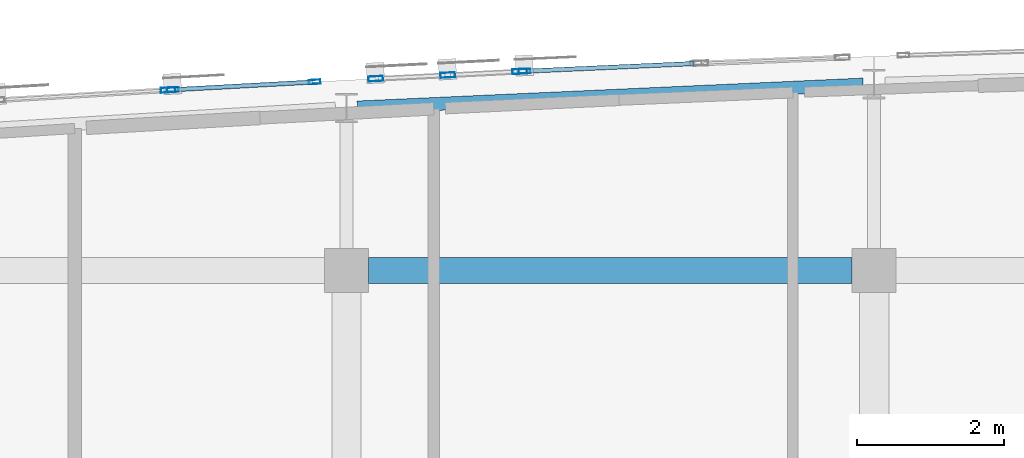
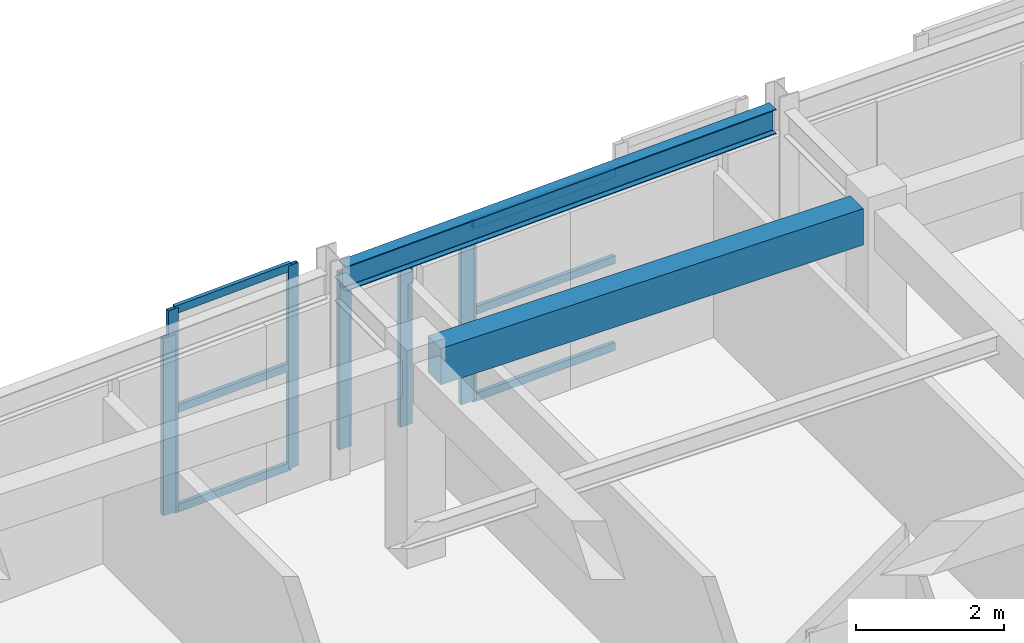
# One storey, part 17 of 73: 13 members, 2 beams, 4 elements without a shape of their own.
"""IFC4 building model written with IfcOpenShell, lengths in metres."""

from ifc_helpers import new_model, si_unit, direction, frame, origin, origin_2d, place, context, subcontext, project, spatial, rectangle, hollow_rectangle, i_section, extrude, material, layer, layer_set, material_profile, profile_set, type_object, element, aggregate, save


model = new_model("IFC4")

# Units and contexts
model_context = context("Model", 3, precision=1e-05, world=origin(), true_north=direction((0.0, 1.0)))
body_context = subcontext(model_context, "Body", "Model", "MODEL_VIEW")
ifc_project = project(units=[si_unit("LENGTHUNIT", "METRE"), si_unit("AREAUNIT", "SQUARE_METRE"), si_unit("VOLUMEUNIT", "CUBIC_METRE"), si_unit("PLANEANGLEUNIT", "RADIAN"), si_unit("MASSUNIT", "GRAM", prefix="KILO")], contexts=[model_context])

# Site, building, storey
site_placement = place(None, origin())
site = spatial("IfcSite", under=ifc_project, at=site_placement, CompositionType="ELEMENT")
building_placement = place(site_placement, origin())
building = spatial("IfcBuilding", under=site, at=building_placement, Name="Carrowvane Square Congress Hotel", CompositionType="ELEMENT")
storey_placement = place(building_placement, frame((0.0, 0.0, 19.199951171875)))
storey = spatial("IfcBuildingStorey", under=building, at=storey_placement, Name="L04", CompositionType="ELEMENT", Elevation=19.199951171875)

# Beams
ifc_material_1 = material(Name="Concrete C35/45", Category="concrete")
ifc_material_profile_1 = material_profile(ifc_material_1, rectangle(XDim=0.35009765625, YDim=0.60009765625, at=origin_2d()), Name="RC 350x600")
ifc_profile_set_1 = profile_set([ifc_material_profile_1], Name="Concrete C35/45")
beam_type_1 = type_object("IfcBeamType", Name="BM-RC-350x600", PredefinedType="BEAM", material=ifc_profile_set_1)
beam_1_placement = place(storey_placement, frame((76.699951171875, 113.39990234375, 3.050048828125), z_axis=(1.0, 0.0, 0.0), x_axis=(0.0, 1.0, 0.0)))
element("IfcBeam", 1, at=beam_1_placement, inside=storey, type_object=beam_type_1, Name="L05 girder R/10-11", PredefinedType="BEAM", context=body_context, shape_type="SweptSolid", body=[
    extrude(rectangle(XDim=0.35009765625, YDim=0.60009765625, at=origin_2d()), origin(), (0.0, 0.0, 1.0), 6.60009765625),
])
ifc_material_2 = material(Name="Steel S355", Category="steel")
ifc_material_profile_2 = material_profile(ifc_material_2, i_section(OverallWidth=0.1787109375, OverallDepth=0.409423828125, WebThickness=0.0087890625, FlangeThickness=0.014404296875, FilletRadius=0.01025390625, at=origin_2d()), Name="UKB 406x178x67")
ifc_profile_set_2 = profile_set([ifc_material_profile_2], Name="Steel S355")
beam_type_2 = type_object("IfcBeamType", Name="BM-ST-UKB406", PredefinedType="BEAM", material=ifc_profile_set_2)
beam_2_placement = place(storey_placement, frame((76.5498046875, 115.62451171875, 3.145263671875), z_axis=(0.998974507316, 0.045276193882, 0.0), x_axis=(-0.045276193882, 0.998974507316, 0.0)))
element("IfcBeam", 2, at=beam_2_placement, inside=storey, type_object=beam_type_2, Name="L05 curved north spandrel", PredefinedType="BEAM", context=body_context, shape_type="SweptSolid", body=[
    extrude(i_section(OverallWidth=0.1787109375, OverallDepth=0.409423828125, WebThickness=0.0087890625, FlangeThickness=0.014404296875, FilletRadius=0.01025390625, at=origin_2d()), origin(), (0.0, 0.0, 1.0), 6.907470703125),
])

# Curtain wall, members
ifc_material_3 = material(Name="Anodised aluminium", Category="aluminium")
ifc_layer_1 = layer(ifc_material_3, 0.23388671875)
ifc_layer_set_1 = layer_set([ifc_layer_1], Name="Anodised aluminium")
curtain_wall_type_1 = type_object("IfcCurtainWallType", Name="CW-SYS-7", PredefinedType="NOTDEFINED", material=ifc_layer_set_1)
curtain_wall_1_placement = place(storey_placement, origin())
curtain_wall_1 = element("IfcCurtainWall", 3, at=curtain_wall_1_placement, inside=storey, type_object=curtain_wall_type_1, Name="L04 unitised curtain wall 262", PredefinedType="NOTDEFINED")
ifc_material_4 = material(Name="Anodised aluminium", Category="aluminium")
ifc_material_profile_3 = material_profile(ifc_material_4, hollow_rectangle(XDim=0.06005859375, YDim=0.159912109375, WallThickness=0.00390625, at=origin_2d()), Name="CW-ML 60x160x4")
ifc_profile_set_3 = profile_set([ifc_material_profile_3], Name="Anodised aluminium")
member_type_1 = type_object("IfcMemberType", Name="CW-MUL-1", PredefinedType="MULLION", material=ifc_profile_set_3)
member_1_placement = place(storey_placement, frame((74.030029296875, 115.867431640625, 0.0), z_axis=(0.0, 0.0, 1.0), x_axis=(-0.054815980317, 0.998496473856, 0.0)))
member_1 = element("IfcMember", 4, at=member_1_placement, type_object=member_type_1, Name="CW-7 mullion 1", PredefinedType="MULLION", context=body_context, shape_type="SweptSolid", body=[
    extrude(hollow_rectangle(XDim=0.06005859375, YDim=0.159912109375, WallThickness=0.00390625, at=origin_2d()), origin(), (0.0, 0.0, 1.0), 3.35009765625),
])
member_2_placement = place(storey_placement, frame((75.965576171875, 115.9736328125, 0.0), z_axis=(0.0, 0.0, 1.0), x_axis=(-0.054815980317, 0.998496473856, 0.0)))
member_2 = element("IfcMember", 5, at=member_2_placement, type_object=member_type_1, Name="CW-7 mullion 2", PredefinedType="MULLION", context=body_context, shape_type="SweptSolid", body=[
    extrude(hollow_rectangle(XDim=0.06005859375, YDim=0.159912109375, WallThickness=0.00390625, at=origin_2d()), origin(), (0.0, 0.0, 1.0), 3.35009765625),
])

# Curtain wall, member
ifc_material_5 = material(Name="Anodised aluminium", Category="aluminium")
ifc_layer_2 = layer(ifc_material_5, 0.162109375)
ifc_layer_set_2 = layer_set([ifc_layer_2], Name="Anodised aluminium")
curtain_wall_type_2 = type_object("IfcCurtainWallType", Name="CW-SYS-1", PredefinedType="NOTDEFINED", material=ifc_layer_set_2)
curtain_wall_2_placement = place(storey_placement, origin())
curtain_wall_2 = element("IfcCurtainWall", 6, at=curtain_wall_2_placement, inside=storey, type_object=curtain_wall_type_2, Name="L04 unitised curtain wall 264", PredefinedType="NOTDEFINED")
member_3_placement = place(storey_placement, frame((78.830078125, 116.119873046875, 0.0), z_axis=(0.0, 0.0, 1.0), x_axis=(-0.045411059449, 0.998968385726, 0.0)))
member_3 = element("IfcMember", 7, at=member_3_placement, type_object=member_type_1, Name="CW-1 mullion 1", PredefinedType="MULLION", context=body_context, shape_type="SweptSolid", body=[
    extrude(hollow_rectangle(XDim=0.06005859375, YDim=0.159912109375, WallThickness=0.00390625, at=origin_2d()), origin(), (0.0, 0.0, 1.0), 2.925537109375),
])

ifc_material_6 = material(Name="Anodised aluminium", Category="aluminium")
ifc_layer_3 = layer(ifc_material_6, 0.221923828125)
ifc_layer_set_3 = layer_set([ifc_layer_3], Name="Anodised aluminium")
curtain_wall_type_3 = type_object("IfcCurtainWallType", Name="CW-SYS-6", PredefinedType="NOTDEFINED", material=ifc_layer_set_3)
curtain_wall_3_placement = place(storey_placement, origin())
curtain_wall_3 = element("IfcCurtainWall", 8, at=curtain_wall_3_placement, inside=storey, type_object=curtain_wall_type_3, Name="L04 unitised curtain wall 261", PredefinedType="NOTDEFINED")
ifc_material_7 = material(Name="Anodised aluminium", Category="aluminium")
ifc_material_profile_4 = material_profile(ifc_material_7, hollow_rectangle(XDim=0.070068359375, YDim=0.199951171875, WallThickness=0.0048828125, at=origin_2d()), Name="CW-ML 70x200x5")
ifc_profile_set_4 = profile_set([ifc_material_profile_4], Name="Anodised aluminium")
member_type_2 = type_object("IfcMemberType", Name="CW-MUL-2", PredefinedType="MULLION", material=ifc_profile_set_4)
member_4_placement = place(storey_placement, frame((73.965087890625, 115.86376953125, 0.0), z_axis=(0.0, 0.0, 1.0), x_axis=(-0.058851249486, 0.998266763162, 0.0)))
member_4 = element("IfcMember", 9, at=member_4_placement, type_object=member_type_2, Name="CW-6 mullion 2", PredefinedType="MULLION", context=body_context, shape_type="SweptSolid", body=[
    extrude(hollow_rectangle(XDim=0.070068359375, YDim=0.199951171875, WallThickness=0.0048828125, at=origin_2d()), origin(), (0.0, 0.0, 1.0), 2.925537109375),
])
aggregate(curtain_wall_3, [member_4])

# Curtain wall, members
ifc_material_8 = material(Name="Anodised aluminium", Category="aluminium")
ifc_layer_4 = layer(ifc_material_8, 0.24609375)
ifc_layer_set_4 = layer_set([ifc_layer_4], Name="Anodised aluminium")
curtain_wall_type_4 = type_object("IfcCurtainWallType", Name="CW-SYS-8", PredefinedType="NOTDEFINED", material=ifc_layer_set_4)
curtain_wall_4_placement = place(storey_placement, origin())
curtain_wall_4 = element("IfcCurtainWall", 10, at=curtain_wall_4_placement, inside=storey, type_object=curtain_wall_type_4, Name="L04 unitised curtain wall 263", PredefinedType="NOTDEFINED")
member_5_placement = place(storey_placement, frame((76.799560546875, 116.017822265625, 0.0), z_axis=(0.0, 0.0, 1.0), x_axis=(-0.050323791596, 0.998732955299, 0.0)))
member_5 = element("IfcMember", 11, at=member_5_placement, type_object=member_type_2, Name="CW-8 mullion 1", PredefinedType="MULLION", context=body_context, shape_type="SweptSolid", body=[
    extrude(hollow_rectangle(XDim=0.070068359375, YDim=0.199951171875, WallThickness=0.0048828125, at=origin_2d()), origin(), (0.0, 0.0, 1.0), 2.925537109375),
])
member_6_placement = place(storey_placement, frame((77.7822265625, 116.067138671875, 0.0), z_axis=(0.0, 0.0, 1.0), x_axis=(-0.050323791596, 0.998732955299, 0.0)))
member_6 = element("IfcMember", 12, at=member_6_placement, type_object=member_type_2, Name="CW-8 mullion 2", PredefinedType="MULLION", context=body_context, shape_type="SweptSolid", body=[
    extrude(hollow_rectangle(XDim=0.070068359375, YDim=0.199951171875, WallThickness=0.0048828125, at=origin_2d()), origin(), (0.0, 0.0, 1.0), 2.925537109375),
])
member_7_placement = place(storey_placement, frame((78.764892578125, 116.11669921875, 0.0), z_axis=(0.0, 0.0, 1.0), x_axis=(-0.050323791596, 0.998732955299, 0.0)))
member_7 = element("IfcMember", 13, at=member_7_placement, type_object=member_type_2, Name="CW-8 mullion 3", PredefinedType="MULLION", context=body_context, shape_type="SweptSolid", body=[
    extrude(hollow_rectangle(XDim=0.070068359375, YDim=0.199951171875, WallThickness=0.0048828125, at=origin_2d()), origin(), (0.0, 0.0, 1.0), 2.925537109375),
])
aggregate(curtain_wall_4, [member_5, member_6, member_7])

# Member
ifc_material_9 = material(Name="Anodised aluminium", Category="aluminium")
ifc_material_profile_5 = material_profile(ifc_material_9, hollow_rectangle(XDim=0.06005859375, YDim=0.1298828125, WallThickness=0.00390625, at=origin_2d()), Name="CW-TR 60x130x4")
ifc_profile_set_5 = profile_set([ifc_material_profile_5], Name="Anodised aluminium")
member_type_3 = type_object("IfcMemberType", Name="CW-TRN-1", PredefinedType="USERDEFINED", material=ifc_profile_set_5)
member_8_placement = place(storey_placement, frame((74.059814453125, 115.869140625, 0.030029296875), z_axis=(0.99849494655, 0.054843793758, 0.0), x_axis=(-0.054843793758, 0.99849494655, 0.0)))
member_8 = element("IfcMember", 14, at=member_8_placement, type_object=member_type_3, Name="CW-7 transom 1.1", ObjectType="TRANSOM", PredefinedType="USERDEFINED", context=body_context, shape_type="SweptSolid", body=[
    extrude(hollow_rectangle(XDim=0.06005859375, YDim=0.1298828125, WallThickness=0.00390625, at=origin_2d()), origin(), (0.0, 0.0, 1.0), 1.878662109375),
])

member_9_placement = place(storey_placement, frame((74.059814453125, 115.869140625, 1.675048828125), z_axis=(0.99849494655, 0.054843793758, 0.0), x_axis=(-0.054843793758, 0.99849494655, 0.0)))
member_9 = element("IfcMember", 15, at=member_9_placement, type_object=member_type_3, Name="CW-7 transom 1.2", ObjectType="TRANSOM", PredefinedType="USERDEFINED", context=body_context, shape_type="SweptSolid", body=[
    extrude(hollow_rectangle(XDim=0.06005859375, YDim=0.1298828125, WallThickness=0.00390625, at=origin_2d()), origin(), (0.0, 0.0, 1.0), 1.878662109375),
])

member_10_placement = place(storey_placement, frame((74.059814453125, 115.869140625, 3.320068359375), z_axis=(0.99849494655, 0.054843793758, 0.0), x_axis=(-0.054843793758, 0.99849494655, 0.0)))
member_10 = element("IfcMember", 16, at=member_10_placement, type_object=member_type_3, Name="CW-7 transom 1.3", ObjectType="TRANSOM", PredefinedType="USERDEFINED", context=body_context, shape_type="SweptSolid", body=[
    extrude(hollow_rectangle(XDim=0.06005859375, YDim=0.1298828125, WallThickness=0.00390625, at=origin_2d()), origin(), (0.0, 0.0, 1.0), 1.878662109375),
])

aggregate(curtain_wall_1, [member_1, member_2, member_8, member_9, member_10])

member_11_placement = place(storey_placement, frame((78.85986328125, 116.121337890625, 0.030029296875), z_axis=(0.998971184853, 0.045349441368, 0.0), x_axis=(-0.045349441368, 0.998971184853, 0.0)))
member_11 = element("IfcMember", 17, at=member_11_placement, type_object=member_type_3, Name="CW-1 transom 1.1", ObjectType="TRANSOM", PredefinedType="USERDEFINED", context=body_context, shape_type="SweptSolid", body=[
    extrude(hollow_rectangle(XDim=0.06005859375, YDim=0.1298828125, WallThickness=0.00390625, at=origin_2d()), origin(), (0.0, 0.0, 1.0), 2.28271484375),
])

member_12_placement = place(storey_placement, frame((78.85986328125, 116.121337890625, 1.462890625), z_axis=(0.998971184853, 0.045349441368, 0.0), x_axis=(-0.045349441368, 0.998971184853, 0.0)))
member_12 = element("IfcMember", 18, at=member_12_placement, type_object=member_type_3, Name="CW-1 transom 1.2", ObjectType="TRANSOM", PredefinedType="USERDEFINED", context=body_context, shape_type="SweptSolid", body=[
    extrude(hollow_rectangle(XDim=0.06005859375, YDim=0.1298828125, WallThickness=0.00390625, at=origin_2d()), origin(), (0.0, 0.0, 1.0), 2.28271484375),
])

member_13_placement = place(storey_placement, frame((78.85986328125, 116.121337890625, 2.895751953125), z_axis=(0.998971184853, 0.045349441368, 0.0), x_axis=(-0.045349441368, 0.998971184853, 0.0)))
member_13 = element("IfcMember", 19, at=member_13_placement, type_object=member_type_3, Name="CW-1 transom 1.3", ObjectType="TRANSOM", PredefinedType="USERDEFINED", context=body_context, shape_type="SweptSolid", body=[
    extrude(hollow_rectangle(XDim=0.06005859375, YDim=0.1298828125, WallThickness=0.00390625, at=origin_2d()), origin(), (0.0, 0.0, 1.0), 2.28271484375),
])

aggregate(curtain_wall_2, [member_3, member_11, member_12, member_13])

save(model, "model.ifc")
